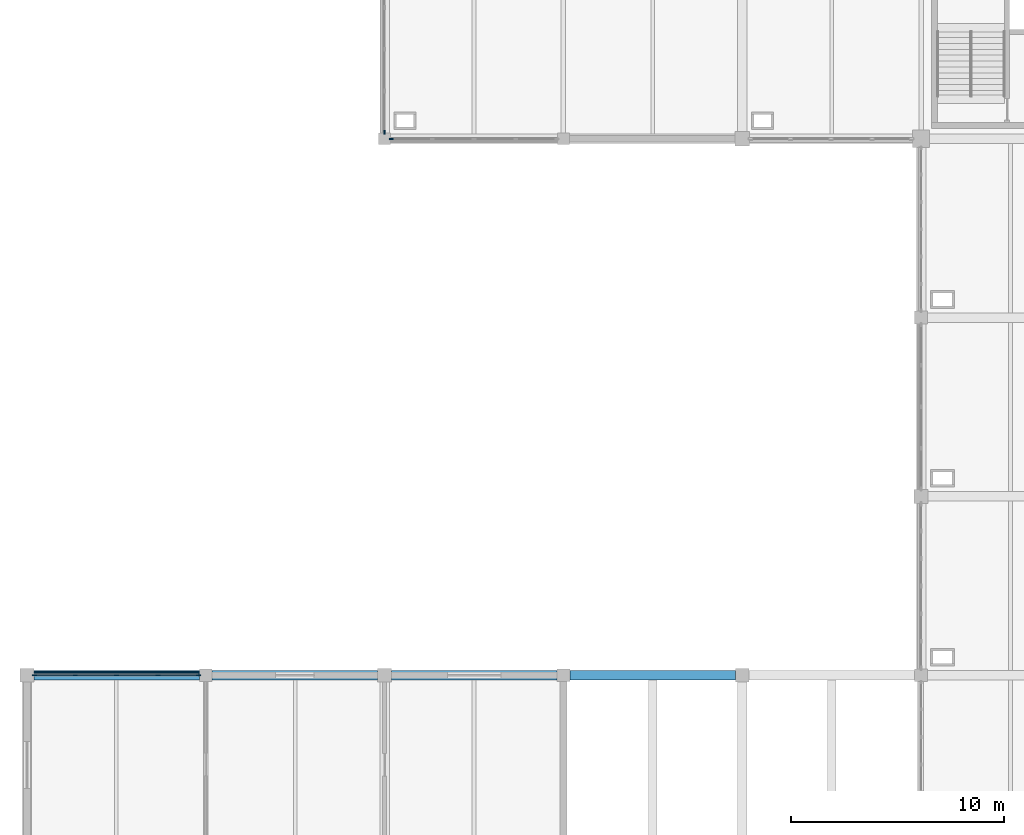
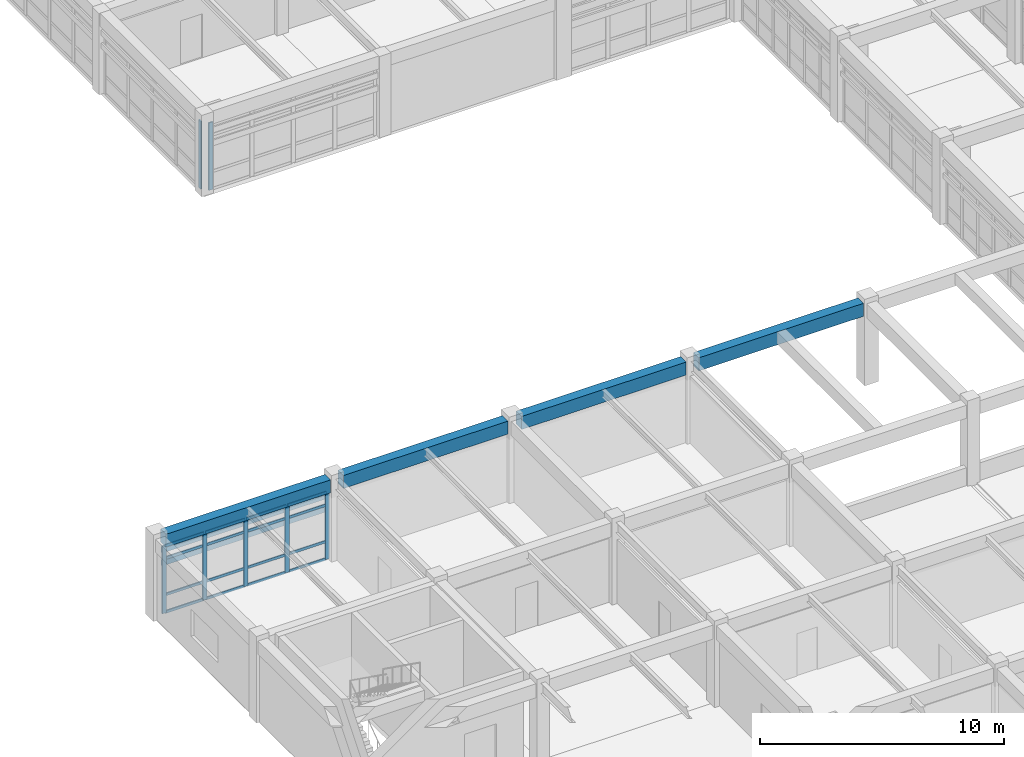
# One storey, part 24 of 74: 25 members, 4 beams, 3 elements without a shape of their own.
"""IFC4 building model written with IfcOpenShell, lengths in metres."""

from ifc_helpers import new_model, si_unit, direction, frame, origin, origin_2d, place, context, subcontext, project, spatial, rectangle, extrude, material, layer, layer_set, material_profile, profile_set, type_object, element, aggregate, save


model = new_model("IFC4")

# Units and contexts
model_context = context("Model", 3, precision=1e-05, world=origin(), true_north=direction((0.0, 1.0)))
body_context = subcontext(model_context, "Body", "Model", "MODEL_VIEW")
ifc_project = project(units=[si_unit("LENGTHUNIT", "METRE"), si_unit("AREAUNIT", "SQUARE_METRE"), si_unit("VOLUMEUNIT", "CUBIC_METRE"), si_unit("PLANEANGLEUNIT", "RADIAN"), si_unit("MASSUNIT", "GRAM", prefix="KILO")], contexts=[model_context])

# Site, building, storey
site_placement = place(None, origin())
site = spatial("IfcSite", under=ifc_project, at=site_placement, CompositionType="ELEMENT")
building_placement = place(site_placement, origin())
building = spatial("IfcBuilding", under=site, at=building_placement, Name="Porcellanite Civic Hall", CompositionType="ELEMENT")
storey_placement = place(building_placement, frame((0.0, 0.0, 14.760009765625)))
storey = spatial("IfcBuildingStorey", under=building, at=storey_placement, Name="L03", CompositionType="ELEMENT", Elevation=14.760009765625)

# Beams
ifc_material_1 = material(Name="Concrete N50 (50 MPa)", Category="concrete")
ifc_material_profile_1 = material_profile(ifc_material_1, rectangle(XDim=0.449951171875, YDim=0.64990234375, at=origin_2d()), Name="RC-450x650")
ifc_profile_set_1 = profile_set([ifc_material_profile_1], Name="Concrete N50 (50 MPa)")
beam_type = type_object("IfcBeamType", Name="BM-RC650", PredefinedType="SPANDREL", material=ifc_profile_set_1)
for number, where, z_axis, x_axis, name in (
    (1, (8.724609375, 75.60009765625, 3.744873046875), (1.0, 0.0, 0.0), (0.0, 1.0, 0.0), "Beam X L03 2-10"),
    (2, (17.099609375, 75.60009765625, 3.744873046875), (1.0, 0.0, 0.0), (0.0, 1.0, 0.0), "Beam X L03 3-10"),
):
    element("IfcBeam", number, at=place(storey_placement, frame(where, z_axis=z_axis, x_axis=x_axis)), inside=storey, type_object=beam_type, Name=name, PredefinedType="SPANDREL", context=body_context, shape_type="SweptSolid", body=[
        extrude(rectangle(XDim=0.449951171875, YDim=0.64990234375, at=origin_2d()), origin(), (0.0, 0.0, 1.0), 7.77587890625),
    ])
for number, where, z_axis, x_axis, name in (
    (3, (25.5244140625, 75.60009765625, 3.744873046875), (1.0, 0.0, 0.0), (0.0, 1.0, 0.0), "Beam X L03 4-10"),
    (4, (33.8994140625, 75.60009765625, 3.744873046875), (1.0, 0.0, 0.0), (0.0, 1.0, 0.0), "Beam X L03 5-10"),
):
    element("IfcBeam", number, at=place(storey_placement, frame(where, z_axis=z_axis, x_axis=x_axis)), inside=storey, type_object=beam_type, Name=name, PredefinedType="SPANDREL", context=body_context, shape_type="SweptSolid", body=[
        extrude(rectangle(XDim=0.449951171875, YDim=0.64990234375, at=origin_2d()), origin(), (0.0, 0.0, 1.0), 7.776123046875),
    ])

# Curtain wall, members
ifc_material_2 = material(Name="Anodised aluminium and solar laminated glass", Category="aluminium")
ifc_layer = layer(ifc_material_2, 0.179931640625)
ifc_layer_set = layer_set([ifc_layer], Name="Anodised aluminium and solar laminated glass")
curtain_wall_type = type_object("IfcCurtainWallType", Name="CW-SYS05", PredefinedType="NOTDEFINED", material=ifc_layer_set)
curtain_wall_1_placement = place(storey_placement, origin())
curtain_wall_1 = element("IfcCurtainWall", 5, at=curtain_wall_1_placement, inside=storey, type_object=curtain_wall_type, Name="Curtain wall CW-185", PredefinedType="NOTDEFINED")
ifc_material_3 = material(Name="Anodised aluminium 6063-T6", Category="aluminium")
ifc_material_profile_2 = material_profile(ifc_material_3, rectangle(XDim=0.070068359375, YDim=0.199951171875, at=origin_2d()), Name="AL-70x200")
ifc_profile_set_2 = profile_set([ifc_material_profile_2], Name="Anodised aluminium 6063-T6")
member_type_1 = type_object("IfcMemberType", Name="CWM-05", PredefinedType="MULLION", material=ifc_profile_set_2)
member_1_placement = place(storey_placement, frame((8.760986328125, 75.60009765625, 0.0), z_axis=(0.0, 0.0, 1.0), x_axis=(0.0, 1.0, 0.0)))
member_1 = element("IfcMember", 6, at=member_1_placement, type_object=member_type_1, Name="CW-185 mullion 1", PredefinedType="MULLION", context=body_context, shape_type="SweptSolid", body=[
    extrude(rectangle(XDim=0.070068359375, YDim=0.199951171875, at=origin_2d()), origin(), (0.0, 0.0, 1.0), 3.369873046875),
])
member_2_placement = place(storey_placement, frame((10.669189453125, 75.60009765625, 0.0), z_axis=(0.0, 0.0, 1.0), x_axis=(0.0, 1.0, 0.0)))
member_2 = element("IfcMember", 7, at=member_2_placement, type_object=member_type_1, Name="CW-185 mullion 2", PredefinedType="MULLION", context=body_context, shape_type="SweptSolid", body=[
    extrude(rectangle(XDim=0.070068359375, YDim=0.199951171875, at=origin_2d()), origin(), (0.0, 0.0, 1.0), 3.369873046875),
])
member_3_placement = place(storey_placement, frame((12.612548828125, 75.60009765625, 0.0), z_axis=(0.0, 0.0, 1.0), x_axis=(0.0, 1.0, 0.0)))
member_3 = element("IfcMember", 8, at=member_3_placement, type_object=member_type_1, Name="CW-185 mullion 3", PredefinedType="MULLION", context=body_context, shape_type="SweptSolid", body=[
    extrude(rectangle(XDim=0.070068359375, YDim=0.199951171875, at=origin_2d()), origin(), (0.0, 0.0, 1.0), 3.369873046875),
])
member_4_placement = place(storey_placement, frame((14.5556640625, 75.60009765625, 0.0), z_axis=(0.0, 0.0, 1.0), x_axis=(0.0, 1.0, 0.0)))
member_4 = element("IfcMember", 9, at=member_4_placement, type_object=member_type_1, Name="CW-185 mullion 4", PredefinedType="MULLION", context=body_context, shape_type="SweptSolid", body=[
    extrude(rectangle(XDim=0.070068359375, YDim=0.199951171875, at=origin_2d()), origin(), (0.0, 0.0, 1.0), 3.369873046875),
])
member_5_placement = place(storey_placement, frame((16.464111328125, 75.60009765625, 0.0), z_axis=(0.0, 0.0, 1.0), x_axis=(0.0, 1.0, 0.0)))
member_5 = element("IfcMember", 10, at=member_5_placement, type_object=member_type_1, Name="CW-185 mullion 5", PredefinedType="MULLION", context=body_context, shape_type="SweptSolid", body=[
    extrude(rectangle(XDim=0.070068359375, YDim=0.199951171875, at=origin_2d()), origin(), (0.0, 0.0, 1.0), 3.369873046875),
])

# Curtain wall, member
curtain_wall_2_placement = place(storey_placement, origin())
curtain_wall_2 = element("IfcCurtainWall", 11, at=curtain_wall_2_placement, inside=storey, type_object=curtain_wall_type, Name="Curtain wall CW-187", PredefinedType="NOTDEFINED")
member_6_placement = place(storey_placement, frame((25.510986328125, 100.800048828125, 0.0), z_axis=(0.0, 0.0, 1.0), x_axis=(0.0, -1.0, 0.0)))
member_6 = element("IfcMember", 12, at=member_6_placement, type_object=member_type_1, Name="CW-187 mullion 5", PredefinedType="MULLION", context=body_context, shape_type="SweptSolid", body=[
    extrude(rectangle(XDim=0.070068359375, YDim=0.199951171875, at=origin_2d()), origin(), (0.0, 0.0, 1.0), 3.369873046875),
])
aggregate(curtain_wall_2, [member_6])

curtain_wall_3_placement = place(storey_placement, origin())
curtain_wall_3 = element("IfcCurtainWall", 13, at=curtain_wall_3_placement, inside=storey, type_object=curtain_wall_type, Name="Curtain wall CW-188", PredefinedType="NOTDEFINED")
member_7_placement = place(storey_placement, frame((25.199951171875, 101.111083984375, 0.0), z_axis=(0.0, 0.0, 1.0), x_axis=(-1.0, 0.0, 0.0)))
member_7 = element("IfcMember", 14, at=member_7_placement, type_object=member_type_1, Name="CW-188 mullion 1", PredefinedType="MULLION", context=body_context, shape_type="SweptSolid", body=[
    extrude(rectangle(XDim=0.070068359375, YDim=0.199951171875, at=origin_2d()), origin(), (0.0, 0.0, 1.0), 3.369873046875),
])
aggregate(curtain_wall_3, [member_7])

# Member
ifc_material_4 = material(Name="Anodised aluminium 6063-T6", Category="aluminium")
ifc_material_profile_3 = material_profile(ifc_material_4, rectangle(XDim=0.06005859375, YDim=0.1298828125, at=origin_2d()), Name="AL-60x130")
ifc_profile_set_3 = profile_set([ifc_material_profile_3], Name="Anodised aluminium 6063-T6")
member_type_2 = type_object("IfcMemberType", Name="CWT-03", PredefinedType="USERDEFINED", material=ifc_profile_set_3)
member_8_placement = place(storey_placement, frame((8.7958984375, 75.60009765625, 0.030029296875), z_axis=(1.0, 0.0, 0.0), x_axis=(0.0, 1.0, 0.0)))
member_8 = element("IfcMember", 15, at=member_8_placement, type_object=member_type_2, Name="CW-185 transom 1.1", ObjectType="TRANSOM", PredefinedType="USERDEFINED", context=body_context, shape_type="SweptSolid", body=[
    extrude(rectangle(XDim=0.06005859375, YDim=0.1298828125, at=origin_2d()), origin(), (0.0, 0.0, 1.0), 1.83837890625),
])

member_9_placement = place(storey_placement, frame((8.7958984375, 75.60009765625, 0.89990234375), z_axis=(1.0, 0.0, 0.0), x_axis=(0.0, 1.0, 0.0)))
member_9 = element("IfcMember", 16, at=member_9_placement, type_object=member_type_2, Name="CW-185 transom 1.2", ObjectType="TRANSOM", PredefinedType="USERDEFINED", context=body_context, shape_type="SweptSolid", body=[
    extrude(rectangle(XDim=0.06005859375, YDim=0.1298828125, at=origin_2d()), origin(), (0.0, 0.0, 1.0), 1.83837890625),
])

member_10_placement = place(storey_placement, frame((8.7958984375, 75.60009765625, 2.719970703125), z_axis=(1.0, 0.0, 0.0), x_axis=(0.0, 1.0, 0.0)))
member_10 = element("IfcMember", 17, at=member_10_placement, type_object=member_type_2, Name="CW-185 transom 1.3", ObjectType="TRANSOM", PredefinedType="USERDEFINED", context=body_context, shape_type="SweptSolid", body=[
    extrude(rectangle(XDim=0.06005859375, YDim=0.1298828125, at=origin_2d()), origin(), (0.0, 0.0, 1.0), 1.83837890625),
])

member_11_placement = place(storey_placement, frame((8.7958984375, 75.60009765625, 3.340087890625), z_axis=(1.0, 0.0, 0.0), x_axis=(0.0, 1.0, 0.0)))
member_11 = element("IfcMember", 18, at=member_11_placement, type_object=member_type_2, Name="CW-185 transom 1.4", ObjectType="TRANSOM", PredefinedType="USERDEFINED", context=body_context, shape_type="SweptSolid", body=[
    extrude(rectangle(XDim=0.06005859375, YDim=0.1298828125, at=origin_2d()), origin(), (0.0, 0.0, 1.0), 1.83837890625),
])

member_12_placement = place(storey_placement, frame((10.704345703125, 75.60009765625, 0.030029296875), z_axis=(1.0, 0.0, 0.0), x_axis=(0.0, 1.0, 0.0)))
member_12 = element("IfcMember", 19, at=member_12_placement, type_object=member_type_2, Name="CW-185 transom 2.1", ObjectType="TRANSOM", PredefinedType="USERDEFINED", context=body_context, shape_type="SweptSolid", body=[
    extrude(rectangle(XDim=0.06005859375, YDim=0.1298828125, at=origin_2d()), origin(), (0.0, 0.0, 1.0), 1.873046875),
])

member_13_placement = place(storey_placement, frame((10.704345703125, 75.60009765625, 0.89990234375), z_axis=(1.0, 0.0, 0.0), x_axis=(0.0, 1.0, 0.0)))
member_13 = element("IfcMember", 20, at=member_13_placement, type_object=member_type_2, Name="CW-185 transom 2.2", ObjectType="TRANSOM", PredefinedType="USERDEFINED", context=body_context, shape_type="SweptSolid", body=[
    extrude(rectangle(XDim=0.06005859375, YDim=0.1298828125, at=origin_2d()), origin(), (0.0, 0.0, 1.0), 1.873046875),
])

member_14_placement = place(storey_placement, frame((10.704345703125, 75.60009765625, 2.719970703125), z_axis=(1.0, 0.0, 0.0), x_axis=(0.0, 1.0, 0.0)))
member_14 = element("IfcMember", 21, at=member_14_placement, type_object=member_type_2, Name="CW-185 transom 2.3", ObjectType="TRANSOM", PredefinedType="USERDEFINED", context=body_context, shape_type="SweptSolid", body=[
    extrude(rectangle(XDim=0.06005859375, YDim=0.1298828125, at=origin_2d()), origin(), (0.0, 0.0, 1.0), 1.873046875),
])

member_15_placement = place(storey_placement, frame((10.704345703125, 75.60009765625, 3.340087890625), z_axis=(1.0, 0.0, 0.0), x_axis=(0.0, 1.0, 0.0)))
member_15 = element("IfcMember", 22, at=member_15_placement, type_object=member_type_2, Name="CW-185 transom 2.4", ObjectType="TRANSOM", PredefinedType="USERDEFINED", context=body_context, shape_type="SweptSolid", body=[
    extrude(rectangle(XDim=0.06005859375, YDim=0.1298828125, at=origin_2d()), origin(), (0.0, 0.0, 1.0), 1.873046875),
])

member_16_placement = place(storey_placement, frame((12.6474609375, 75.60009765625, 0.030029296875), z_axis=(1.0, 0.0, 0.0), x_axis=(0.0, 1.0, 0.0)))
member_16 = element("IfcMember", 23, at=member_16_placement, type_object=member_type_2, Name="CW-185 transom 3.1", ObjectType="TRANSOM", PredefinedType="USERDEFINED", context=body_context, shape_type="SweptSolid", body=[
    extrude(rectangle(XDim=0.06005859375, YDim=0.1298828125, at=origin_2d()), origin(), (0.0, 0.0, 1.0), 1.873291015625),
])

member_17_placement = place(storey_placement, frame((12.6474609375, 75.60009765625, 0.89990234375), z_axis=(1.0, 0.0, 0.0), x_axis=(0.0, 1.0, 0.0)))
member_17 = element("IfcMember", 24, at=member_17_placement, type_object=member_type_2, Name="CW-185 transom 3.2", ObjectType="TRANSOM", PredefinedType="USERDEFINED", context=body_context, shape_type="SweptSolid", body=[
    extrude(rectangle(XDim=0.06005859375, YDim=0.1298828125, at=origin_2d()), origin(), (0.0, 0.0, 1.0), 1.873291015625),
])

member_18_placement = place(storey_placement, frame((12.6474609375, 75.60009765625, 2.719970703125), z_axis=(1.0, 0.0, 0.0), x_axis=(0.0, 1.0, 0.0)))
member_18 = element("IfcMember", 25, at=member_18_placement, type_object=member_type_2, Name="CW-185 transom 3.3", ObjectType="TRANSOM", PredefinedType="USERDEFINED", context=body_context, shape_type="SweptSolid", body=[
    extrude(rectangle(XDim=0.06005859375, YDim=0.1298828125, at=origin_2d()), origin(), (0.0, 0.0, 1.0), 1.873291015625),
])

member_19_placement = place(storey_placement, frame((12.6474609375, 75.60009765625, 3.340087890625), z_axis=(1.0, 0.0, 0.0), x_axis=(0.0, 1.0, 0.0)))
member_19 = element("IfcMember", 26, at=member_19_placement, type_object=member_type_2, Name="CW-185 transom 3.4", ObjectType="TRANSOM", PredefinedType="USERDEFINED", context=body_context, shape_type="SweptSolid", body=[
    extrude(rectangle(XDim=0.06005859375, YDim=0.1298828125, at=origin_2d()), origin(), (0.0, 0.0, 1.0), 1.873291015625),
])

member_20_placement = place(storey_placement, frame((14.5908203125, 75.60009765625, 0.030029296875), z_axis=(1.0, 0.0, 0.0), x_axis=(0.0, 1.0, 0.0)))
member_20 = element("IfcMember", 27, at=member_20_placement, type_object=member_type_2, Name="CW-185 transom 4.1", ObjectType="TRANSOM", PredefinedType="USERDEFINED", context=body_context, shape_type="SweptSolid", body=[
    extrude(rectangle(XDim=0.06005859375, YDim=0.1298828125, at=origin_2d()), origin(), (0.0, 0.0, 1.0), 1.838134765625),
])

member_21_placement = place(storey_placement, frame((14.5908203125, 75.60009765625, 0.89990234375), z_axis=(1.0, 0.0, 0.0), x_axis=(0.0, 1.0, 0.0)))
member_21 = element("IfcMember", 28, at=member_21_placement, type_object=member_type_2, Name="CW-185 transom 4.2", ObjectType="TRANSOM", PredefinedType="USERDEFINED", context=body_context, shape_type="SweptSolid", body=[
    extrude(rectangle(XDim=0.06005859375, YDim=0.1298828125, at=origin_2d()), origin(), (0.0, 0.0, 1.0), 1.838134765625),
])

member_22_placement = place(storey_placement, frame((14.5908203125, 75.60009765625, 2.719970703125), z_axis=(1.0, 0.0, 0.0), x_axis=(0.0, 1.0, 0.0)))
member_22 = element("IfcMember", 29, at=member_22_placement, type_object=member_type_2, Name="CW-185 transom 4.3", ObjectType="TRANSOM", PredefinedType="USERDEFINED", context=body_context, shape_type="SweptSolid", body=[
    extrude(rectangle(XDim=0.06005859375, YDim=0.1298828125, at=origin_2d()), origin(), (0.0, 0.0, 1.0), 1.838134765625),
])

member_23_placement = place(storey_placement, frame((14.5908203125, 75.60009765625, 3.340087890625), z_axis=(1.0, 0.0, 0.0), x_axis=(0.0, 1.0, 0.0)))
member_23 = element("IfcMember", 30, at=member_23_placement, type_object=member_type_2, Name="CW-185 transom 4.4", ObjectType="TRANSOM", PredefinedType="USERDEFINED", context=body_context, shape_type="SweptSolid", body=[
    extrude(rectangle(XDim=0.06005859375, YDim=0.1298828125, at=origin_2d()), origin(), (0.0, 0.0, 1.0), 1.838134765625),
])

aggregate(curtain_wall_1, [member_1, member_2, member_3, member_4, member_5, member_8, member_9, member_10, member_11, member_12, member_13, member_14, member_15, member_16, member_17, member_18, member_19, member_20, member_21, member_22, member_23])

# Members
ifc_material_5 = material(Name="Fluoropolymer bauxite-red aluminium 6063-T6", Category="aluminium")
ifc_material_profile_4 = material_profile(ifc_material_5, rectangle(XDim=0.070068359375, YDim=0.280029296875, at=origin_2d()), Name="AL-70x280")
ifc_profile_set_4 = profile_set([ifc_material_profile_4], Name="Fluoropolymer bauxite-red aluminium 6063-T6")
member_type_3 = type_object("IfcMemberType", Name="LV-BLD05", PredefinedType="USERDEFINED", material=ifc_profile_set_4)
for number, where, z_axis, x_axis, name in (
    (31, (8.724609375, 75.737060546875, 3.070068359375), (1.0, 0.0, 0.0), (0.0, 1.0, 0.0), "Cyclone sunshade louvre L03 N 1-8 1"),
    (32, (8.724609375, 75.737060546875, 2.419921875), (1.0, 0.0, 0.0), (0.0, 1.0, 0.0), "Cyclone sunshade louvre L03 N 1-8 2"),
):
    element("IfcMember", number, at=place(storey_placement, frame(where, z_axis=z_axis, x_axis=x_axis)), inside=storey, type_object=member_type_3, Name=name, ObjectType="LOUVRE BLADE", PredefinedType="USERDEFINED", context=body_context, shape_type="SweptSolid", body=[
        extrude(rectangle(XDim=0.070068359375, YDim=0.280029296875, at=origin_2d()), origin(), (0.0, 0.0, 1.0), 7.77587890625),
    ])

save(model, "model.ifc")
